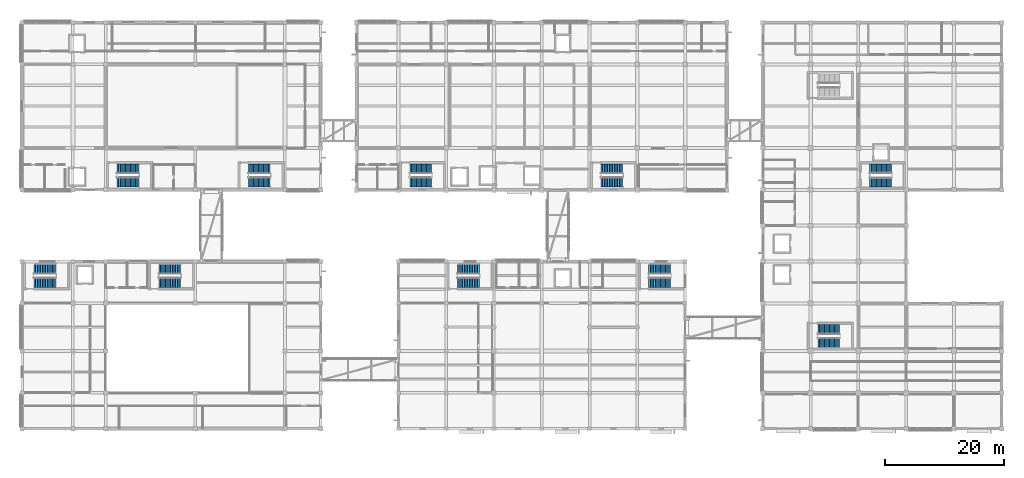
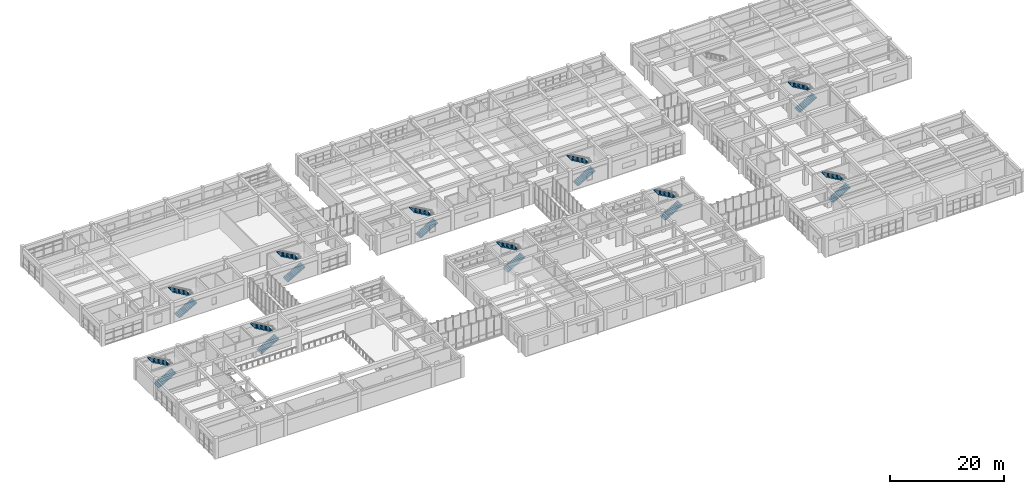
# One storey, part 57 of 70: 20 stair flights, 10 elements without a shape of their own.
"""IFC4 building model written with IfcOpenShell, lengths in metres."""

import ifcopenshell
import ifcopenshell.guid

model = None  # the IFC model being written
_history = None  # IfcOwnerHistory: only IFC2X3 demands one
_inside = {}  # id of a spatial element -> (the spatial element, [elements in it])
_under = {}  # id of a project, library or spatial element -> (it, [spatial elements below it])
_declared = {}  # id of a project -> (the project, [libraries it declares])
_typed = {}  # id of a type object -> (the type object, [elements of that type])
_made_of = {}  # id of a material, layer set ... -> (it, [elements and type objects made of it])


def new_model(schema):
    """Start an empty IFC model of exactly this schema.

    Asked for "IFC4X3", IfcOpenShell would pick the latest addendum, in which some entities
    have other attributes; the version numbers below select the first issue.
    IFC2X3 requires an IfcOwnerHistory on every rooted entity: one is made here for all.
    """
    global model, _history
    if schema == "IFC4X3":
        model = ifcopenshell.file(schema_version=(4, 3, 0, 0))
    else:
        model = ifcopenshell.file(schema=schema)
    _inside.clear()
    _under.clear()
    _declared.clear()
    _typed.clear()
    _made_of.clear()
    _history = None
    if model.schema == "IFC2X3":
        org = make("IfcOrganization", Name="unknown")
        user = make(
            "IfcPersonAndOrganization",
            ThePerson=make("IfcPerson", FamilyName="unknown"),
            TheOrganization=org,
        )
        app = make(
            "IfcApplication",
            ApplicationDeveloper=org,
            Version="unknown",
            ApplicationFullName="unknown",
            ApplicationIdentifier="unknown",
        )
        _history = make(
            "IfcOwnerHistory",
            OwningUser=user,
            OwningApplication=app,
            ChangeAction="ADDED",
            CreationDate=0,
        )
    return model


def make(cls, **values):
    """One entity of the class cls with the attributes given. An attribute that is None is left unset."""
    return model.create_entity(
        cls, **{name: value for name, value in values.items() if value is not None}
    )


def rooted(cls, **values):
    """An entity with a GlobalId (a new one), such as an element, a storey or a relation."""
    return make(cls, GlobalId=ifcopenshell.guid.new(), OwnerHistory=_history, **values)


def si_unit(unit_type, name, prefix=None):
    """IfcSIUnit, for example si_unit("LENGTHUNIT", "METRE", prefix="MILLI")."""
    return make("IfcSIUnit", UnitType=unit_type, Prefix=prefix, Name=name)


def assignment(units):
    """IfcUnitAssignment: the units of a project."""
    return None if units is None else make("IfcUnitAssignment", Units=units)


def point(xyz):
    """IfcCartesianPoint."""
    return None if xyz is None else make("IfcCartesianPoint", Coordinates=xyz)


def direction(xyz):
    """IfcDirection."""
    return None if xyz is None else make("IfcDirection", DirectionRatios=xyz)


def frame(location, z_axis=None, x_axis=None):
    """IfcAxis2Placement3D, a coordinate frame: its origin and axes. An axis left out is left unset."""
    return make(
        "IfcAxis2Placement3D",
        Location=point(location),
        Axis=direction(z_axis),
        RefDirection=direction(x_axis),
    )


def origin():
    """The frame at (0, 0, 0) with its axes left unset."""
    return frame((0.0, 0.0, 0.0))


def place(relative_to, where):
    """IfcLocalPlacement: puts the frame where relative to a parent placement (None: the world)."""
    return make(
        "IfcLocalPlacement", PlacementRelTo=relative_to, RelativePlacement=where
    )


def context(
    kind, dimensions, precision=None, world=None, true_north=None, identifier=None
):
    """IfcGeometricRepresentationContext, for example the 3D "Model" context."""
    return make(
        "IfcGeometricRepresentationContext",
        ContextIdentifier=identifier,
        ContextType=kind,
        CoordinateSpaceDimension=dimensions,
        Precision=precision,
        WorldCoordinateSystem=world,
        TrueNorth=true_north,
    )


def subcontext(parent, identifier, kind, view, scale=None):
    """IfcGeometricRepresentationSubContext, for example "Body" below "Model"."""
    return make(
        "IfcGeometricRepresentationSubContext",
        ContextIdentifier=identifier,
        ContextType=kind,
        ParentContext=parent,
        TargetScale=scale,
        TargetView=view,
    )


def project(units=None, contexts=None):
    """IfcProject with its units and contexts."""
    return rooted(
        "IfcProject",
        Name="project",
        RepresentationContexts=contexts,
        UnitsInContext=assignment(units),
    )


def spatial(cls, under=None, at=None, **own):
    """A site, building, storey or space (cls), placed at a placement, below another one or the project."""
    s = rooted(cls, ObjectPlacement=at, **own)
    if under is not None:
        _under.setdefault(under.id(), (under, []))[1].append(s)
    return s


def polyline(points):
    """IfcPolyline through the points."""
    return make("IfcPolyline", Points=[point(p) for p in points])


def outline(outer, holes=None, kind="AREA"):
    """IfcArbitraryClosedProfileDef: a profile drawn as a closed curve; with holes, ...WithVoids."""
    if holes is None:
        return make("IfcArbitraryClosedProfileDef", ProfileType=kind, OuterCurve=outer)
    return make(
        "IfcArbitraryProfileDefWithVoids",
        ProfileType=kind,
        OuterCurve=outer,
        InnerCurves=holes,
    )


def extrude(swept, where, along, depth):
    """IfcExtrudedAreaSolid: the profile swept, set in the frame where, extruded along a direction by depth."""
    return make(
        "IfcExtrudedAreaSolid",
        SweptArea=swept,
        Position=where,
        ExtrudedDirection=direction(along),
        Depth=depth,
    )


def shape(context_of_items, identifier, shape_type, items):
    """IfcShapeRepresentation: the items that make up one representation, for example the "Body"."""
    return make(
        "IfcShapeRepresentation",
        ContextOfItems=context_of_items,
        RepresentationIdentifier=identifier,
        RepresentationType=shape_type,
        Items=items,
    )


def material(Name=None, Category=None):
    """IfcMaterial."""
    return make("IfcMaterial", Name=Name, Category=Category)


def made_of(thing, what):
    """Note that an element or type object is made of a material, layer set ...; save() writes the relation."""
    if what is not None:
        _made_of.setdefault(what.id(), (what, []))[1].append(thing)
    return thing


def type_object(cls, material=None, **own):
    """A type object (cls), such as IfcWallType, which elements share."""
    return made_of(rooted(cls, **own), material)


def element(
    cls,
    number,
    at=None,
    inside=None,
    cuts=None,
    type_object=None,
    material=None,
    context=None,
    identifier="Body",
    shape_type=None,
    held_by="IfcProductDefinitionShape",
    body=None,
    shapes=None,
    **own,
):
    """One element of the class cls, such as IfcWall. Its Tag is "e" and its number.

    at: its placement. inside: the storey or other place that contains it. cuts: it is an
    opening in that element (IfcRelVoidsElement). A single representation is given by context,
    identifier, shape_type and body (its items); several are given by shapes. held_by: the class
    of the entity that holds the representations. save() writes the other relations.
    """
    e = rooted(cls, Tag="e%d" % number, ObjectPlacement=at, **own)
    if body is not None:
        shapes = [shape(context, identifier, shape_type, body)]
    if shapes is not None:
        e.Representation = make(held_by, Representations=shapes)
    if inside is not None:
        _inside.setdefault(inside.id(), (inside, []))[1].append(e)
    if cuts is not None:
        rooted(
            "IfcRelVoidsElement", RelatingBuildingElement=cuts, RelatedOpeningElement=e
        )
    if type_object is not None:
        _typed.setdefault(type_object.id(), (type_object, []))[1].append(e)
    return made_of(e, material)


def aggregate(whole, parts):
    """IfcRelAggregates: a whole, such as a stair, and the parts it consists of."""
    return rooted("IfcRelAggregates", RelatingObject=whole, RelatedObjects=parts)


def save(model, path):
    """Write the relations noted so far, then the file.

    IfcRelAggregates (storeys below a building ...), IfcRelContainedInSpatialStructure (elements
    in a storey), IfcRelDefinesByType, IfcRelAssociatesMaterial and IfcRelDeclares: one each for
    every whole, place, type object, material and project.
    """
    for whole, parts in _under.values():
        aggregate(whole, parts)
    for where, things in _inside.values():
        rooted(
            "IfcRelContainedInSpatialStructure",
            RelatedElements=things,
            RelatingStructure=where,
        )
    for kind, things in _typed.values():
        rooted("IfcRelDefinesByType", RelatedObjects=things, RelatingType=kind)
    for what, things in _made_of.values():
        rooted("IfcRelAssociatesMaterial", RelatedObjects=things, RelatingMaterial=what)
    for by, libraries in _declared.values():
        rooted("IfcRelDeclares", RelatingContext=by, RelatedDefinitions=libraries)
    model.write(path)


model = new_model("IFC4")

# Units and contexts
model_context = context("Model", 3, precision=1e-05, world=origin(), true_north=direction((0.0, 1.0)))
body_context = subcontext(model_context, "Body", "Model", "MODEL_VIEW")
ifc_project = project(units=[si_unit("LENGTHUNIT", "METRE"), si_unit("AREAUNIT", "SQUARE_METRE"), si_unit("VOLUMEUNIT", "CUBIC_METRE"), si_unit("PLANEANGLEUNIT", "RADIAN"), si_unit("MASSUNIT", "GRAM", prefix="KILO")], contexts=[model_context])

# Site, building, storey
site_placement = place(None, origin())
site = spatial("IfcSite", under=ifc_project, at=site_placement, CompositionType="ELEMENT")
building_placement = place(site_placement, origin())
building = spatial("IfcBuilding", under=site, at=building_placement, Name="Naurynzar Civic Courthouse", CompositionType="ELEMENT")
storey_placement = place(building_placement, frame((0.0, 0.0, 5.39990234375)))
storey = spatial("IfcBuildingStorey", under=building, at=storey_placement, Name="L02", CompositionType="ELEMENT", Elevation=5.39990234375)

# Stair, stair flights
ifc_material_1 = material(Name="Concrete C35/45", Category="concrete")
stair_type_1 = type_object("IfcStairType", Name="STAIR-CUS-1550", PredefinedType="TWO_STRAIGHT_RUN_STAIR", material=ifc_material_1)
stair_1_placement = place(storey_placement, origin())
stair_1 = element("IfcStair", 1, at=stair_1_placement, inside=storey, type_object=stair_type_1, Name="Enclosed escape stair ST-CUS L02", PredefinedType="TWO_STRAIGHT_RUN_STAIR")
ifc_material_2 = material(Name="Concrete C35/45", Category="concrete")
stair_flight_type_1 = type_object("IfcStairFlightType", Name="FLIGHT-RC-1550", PredefinedType="STRAIGHT", material=ifc_material_2)
stair_flight_1_placement = place(storey_placement, frame((147.89990234375, 45.2548828125, 0.0), z_axis=(0.0, 0.0, 1.0), x_axis=(1.0, 0.0, 0.0)))
stair_flight_1 = element("IfcStairFlight", 2, at=stair_flight_1_placement, type_object=stair_flight_type_1, Name="ST-CUS-L02 flight 1", NumberOfRisers=14, NumberOfTreads=13, PredefinedType="STRAIGHT", RiserHeight=0.160714286, TreadLength=0.28, context=body_context, shape_type="SweptSolid", body=[
    extrude(outline(polyline([(0.0, 0.0), (0.0, 0.16064453125), (0.280029296875, 0.16064453125), (0.280029296875, 0.321533203125), (0.56005859375, 0.321533203125), (0.56005859375, 0.482177734375), (0.840087890625, 0.482177734375), (0.840087890625, 0.642822265625), (1.1201171875, 0.642822265625), (1.1201171875, 0.803466796875), (1.39990234375, 0.803466796875), (1.39990234375, 0.96435546875), (1.679931640625, 0.96435546875), (1.679931640625, 1.125), (1.9599609375, 1.125), (1.9599609375, 1.28564453125), (2.239990234375, 1.28564453125), (2.239990234375, 1.446533203125), (2.52001953125, 1.446533203125), (2.52001953125, 1.607177734375), (2.800048828125, 1.607177734375), (2.800048828125, 1.767822265625), (3.080078125, 1.767822265625), (3.080078125, 1.928466796875), (3.360107421875, 1.928466796875), (3.360107421875, 2.08935546875), (3.639892578125, 2.08935546875), (3.639892578125, 2.25), (3.639892578125, 1.8818359375), (0.361328125, 0.0), (0.0, 0.0)])), frame((0.0, 0.77490234375, 0.0), z_axis=(0.0, -1.0, 0.0), x_axis=(1.0, 0.0, 0.0)), (0.0, 0.0, 1.0), 1.550048828125),
])
stair_flight_2_placement = place(storey_placement, frame((151.5400390625, 47.544921875, 2.25), z_axis=(0.0, 0.0, 1.0), x_axis=(-1.0, 0.0, 0.0)))
stair_flight_2 = element("IfcStairFlight", 3, at=stair_flight_2_placement, type_object=stair_flight_type_1, Name="ST-CUS-L02 flight 2", NumberOfRisers=14, NumberOfTreads=13, PredefinedType="STRAIGHT", RiserHeight=0.160714286, TreadLength=0.28, context=body_context, shape_type="SweptSolid", body=[
    extrude(outline(polyline([(0.0, 0.0), (0.0, 0.16064453125), (0.280029296875, 0.16064453125), (0.280029296875, 0.321533203125), (0.56005859375, 0.321533203125), (0.56005859375, 0.482177734375), (0.840087890625, 0.482177734375), (0.840087890625, 0.642822265625), (1.1201171875, 0.642822265625), (1.1201171875, 0.803466796875), (1.39990234375, 0.803466796875), (1.39990234375, 0.96435546875), (1.679931640625, 0.96435546875), (1.679931640625, 1.125), (1.9599609375, 1.125), (1.9599609375, 1.28564453125), (2.239990234375, 1.28564453125), (2.239990234375, 1.446533203125), (2.52001953125, 1.446533203125), (2.52001953125, 1.607177734375), (2.800048828125, 1.607177734375), (2.800048828125, 1.767822265625), (3.080078125, 1.767822265625), (3.080078125, 1.928466796875), (3.360107421875, 1.928466796875), (3.360107421875, 2.08935546875), (3.639892578125, 2.08935546875), (3.639892578125, 2.25), (3.639892578125, 1.8818359375), (0.361328125, 0.0), (0.0, 0.0)])), frame((0.0, 0.77490234375, 0.0), z_axis=(0.0, -1.0, 0.0), x_axis=(1.0, 0.0, 0.0)), (0.0, 0.0, 1.0), 1.550048828125),
])
aggregate(stair_1, [stair_flight_1, stair_flight_2])

ifc_material_3 = material(Name="Concrete C35/45", Category="concrete")
stair_type_2 = type_object("IfcStairType", Name="STAIR-CORE-1600", PredefinedType="TWO_STRAIGHT_RUN_STAIR", material=ifc_material_3)
stair_2_placement = place(storey_placement, origin())
stair_2 = element("IfcStair", 4, at=stair_2_placement, inside=storey, type_object=stair_type_2, Name="Enclosed escape stair ST-V1A L02", PredefinedType="TWO_STRAIGHT_RUN_STAIR")
ifc_material_4 = material(Name="Concrete C35/45", Category="concrete")
stair_flight_type_2 = type_object("IfcStairFlightType", Name="FLIGHT-RC-1600", PredefinedType="STRAIGHT", material=ifc_material_4)
stair_flight_3_placement = place(storey_placement, frame((21.89990234375, 45.280029296875, 0.0), z_axis=(0.0, 0.0, 1.0), x_axis=(1.0, 0.0, 0.0)))
stair_flight_3 = element("IfcStairFlight", 5, at=stair_flight_3_placement, type_object=stair_flight_type_2, Name="ST-V1A-L02 flight 1", NumberOfRisers=14, NumberOfTreads=13, PredefinedType="STRAIGHT", RiserHeight=0.160714286, TreadLength=0.28, context=body_context, shape_type="SweptSolid", body=[
    extrude(outline(polyline([(0.0, 0.0), (0.0, 0.16064453125), (0.280029296875, 0.16064453125), (0.280029296875, 0.321533203125), (0.56005859375, 0.321533203125), (0.56005859375, 0.482177734375), (0.840087890625, 0.482177734375), (0.840087890625, 0.642822265625), (1.1201171875, 0.642822265625), (1.1201171875, 0.803466796875), (1.39990234375, 0.803466796875), (1.39990234375, 0.96435546875), (1.679931640625, 0.96435546875), (1.679931640625, 1.125), (1.9599609375, 1.125), (1.9599609375, 1.28564453125), (2.239990234375, 1.28564453125), (2.239990234375, 1.446533203125), (2.52001953125, 1.446533203125), (2.52001953125, 1.607177734375), (2.800048828125, 1.607177734375), (2.800048828125, 1.767822265625), (3.080078125, 1.767822265625), (3.080078125, 1.928466796875), (3.360107421875, 1.928466796875), (3.360107421875, 2.08935546875), (3.639892578125, 2.08935546875), (3.639892578125, 2.25), (3.639892578125, 1.8818359375), (0.361328125, 0.0), (0.0, 0.0)])), frame((0.0, 0.800048828125, 0.0), z_axis=(0.0, -1.0, 0.0), x_axis=(1.0, 0.0, 0.0)), (0.0, 0.0, 1.0), 1.60009765625),
])
stair_flight_4_placement = place(storey_placement, frame((25.5400390625, 47.52001953125, 2.25), z_axis=(0.0, 0.0, 1.0), x_axis=(-1.0, 0.0, 0.0)))
stair_flight_4 = element("IfcStairFlight", 6, at=stair_flight_4_placement, type_object=stair_flight_type_2, Name="ST-V1A-L02 flight 2", NumberOfRisers=14, NumberOfTreads=13, PredefinedType="STRAIGHT", RiserHeight=0.160714286, TreadLength=0.28, context=body_context, shape_type="SweptSolid", body=[
    extrude(outline(polyline([(0.0, 0.0), (0.0, 0.16064453125), (0.280029296875, 0.16064453125), (0.280029296875, 0.321533203125), (0.56005859375, 0.321533203125), (0.56005859375, 0.482177734375), (0.840087890625, 0.482177734375), (0.840087890625, 0.642822265625), (1.1201171875, 0.642822265625), (1.1201171875, 0.803466796875), (1.39990234375, 0.803466796875), (1.39990234375, 0.96435546875), (1.679931640625, 0.96435546875), (1.679931640625, 1.125), (1.9599609375, 1.125), (1.9599609375, 1.28564453125), (2.239990234375, 1.28564453125), (2.239990234375, 1.446533203125), (2.52001953125, 1.446533203125), (2.52001953125, 1.607177734375), (2.800048828125, 1.607177734375), (2.800048828125, 1.767822265625), (3.080078125, 1.767822265625), (3.080078125, 1.928466796875), (3.360107421875, 1.928466796875), (3.360107421875, 2.08935546875), (3.639892578125, 2.08935546875), (3.639892578125, 2.25), (3.639892578125, 1.8818359375), (0.361328125, 0.0), (0.0, 0.0)])), frame((0.0, 0.800048828125, 0.0), z_axis=(0.0, -1.0, 0.0), x_axis=(1.0, 0.0, 0.0)), (0.0, 0.0, 1.0), 1.60009765625),
])
aggregate(stair_2, [stair_flight_3, stair_flight_4])

stair_3_placement = place(storey_placement, origin())
stair_3 = element("IfcStair", 7, at=stair_3_placement, inside=storey, type_object=stair_type_2, Name="Enclosed escape stair ST-V1B L02", PredefinedType="TWO_STRAIGHT_RUN_STAIR")
stair_flight_5_placement = place(storey_placement, frame((43.89990234375, 45.280029296875, 0.0), z_axis=(0.0, 0.0, 1.0), x_axis=(1.0, 0.0, 0.0)))
stair_flight_5 = element("IfcStairFlight", 8, at=stair_flight_5_placement, type_object=stair_flight_type_2, Name="ST-V1B-L02 flight 1", NumberOfRisers=14, NumberOfTreads=13, PredefinedType="STRAIGHT", RiserHeight=0.160714286, TreadLength=0.28, context=body_context, shape_type="SweptSolid", body=[
    extrude(outline(polyline([(0.0, 0.0), (0.0, 0.16064453125), (0.280029296875, 0.16064453125), (0.280029296875, 0.321533203125), (0.56005859375, 0.321533203125), (0.56005859375, 0.482177734375), (0.840087890625, 0.482177734375), (0.840087890625, 0.642822265625), (1.1201171875, 0.642822265625), (1.1201171875, 0.803466796875), (1.39990234375, 0.803466796875), (1.39990234375, 0.96435546875), (1.679931640625, 0.96435546875), (1.679931640625, 1.125), (1.9599609375, 1.125), (1.9599609375, 1.28564453125), (2.239990234375, 1.28564453125), (2.239990234375, 1.446533203125), (2.52001953125, 1.446533203125), (2.52001953125, 1.607177734375), (2.800048828125, 1.607177734375), (2.800048828125, 1.767822265625), (3.080078125, 1.767822265625), (3.080078125, 1.928466796875), (3.360107421875, 1.928466796875), (3.360107421875, 2.08935546875), (3.639892578125, 2.08935546875), (3.639892578125, 2.25), (3.639892578125, 1.8818359375), (0.361328125, 0.0), (0.0, 0.0)])), frame((0.0, 0.800048828125, 0.0), z_axis=(0.0, -1.0, 0.0), x_axis=(1.0, 0.0, 0.0)), (0.0, 0.0, 1.0), 1.60009765625),
])
stair_flight_6_placement = place(storey_placement, frame((47.5400390625, 47.52001953125, 2.25), z_axis=(0.0, 0.0, 1.0), x_axis=(-1.0, 0.0, 0.0)))
stair_flight_6 = element("IfcStairFlight", 9, at=stair_flight_6_placement, type_object=stair_flight_type_2, Name="ST-V1B-L02 flight 2", NumberOfRisers=14, NumberOfTreads=13, PredefinedType="STRAIGHT", RiserHeight=0.160714286, TreadLength=0.28, context=body_context, shape_type="SweptSolid", body=[
    extrude(outline(polyline([(0.0, 0.0), (0.0, 0.16064453125), (0.280029296875, 0.16064453125), (0.280029296875, 0.321533203125), (0.56005859375, 0.321533203125), (0.56005859375, 0.482177734375), (0.840087890625, 0.482177734375), (0.840087890625, 0.642822265625), (1.1201171875, 0.642822265625), (1.1201171875, 0.803466796875), (1.39990234375, 0.803466796875), (1.39990234375, 0.96435546875), (1.679931640625, 0.96435546875), (1.679931640625, 1.125), (1.9599609375, 1.125), (1.9599609375, 1.28564453125), (2.239990234375, 1.28564453125), (2.239990234375, 1.446533203125), (2.52001953125, 1.446533203125), (2.52001953125, 1.607177734375), (2.800048828125, 1.607177734375), (2.800048828125, 1.767822265625), (3.080078125, 1.767822265625), (3.080078125, 1.928466796875), (3.360107421875, 1.928466796875), (3.360107421875, 2.08935546875), (3.639892578125, 2.08935546875), (3.639892578125, 2.25), (3.639892578125, 1.8818359375), (0.361328125, 0.0), (0.0, 0.0)])), frame((0.0, 0.800048828125, 0.0), z_axis=(0.0, -1.0, 0.0), x_axis=(1.0, 0.0, 0.0)), (0.0, 0.0, 1.0), 1.60009765625),
])
aggregate(stair_3, [stair_flight_5, stair_flight_6])

stair_4_placement = place(storey_placement, origin())
stair_4 = element("IfcStair", 10, at=stair_4_placement, inside=storey, type_object=stair_type_2, Name="Enclosed escape stair ST-V4A L02", PredefinedType="TWO_STRAIGHT_RUN_STAIR")
stair_flight_7_placement = place(storey_placement, frame((8.0, 28.47998046875, 0.0), z_axis=(0.0, 0.0, 1.0), x_axis=(1.0, 0.0, 0.0)))
stair_flight_7 = element("IfcStairFlight", 11, at=stair_flight_7_placement, type_object=stair_flight_type_2, Name="ST-V4A-L02 flight 1", NumberOfRisers=14, NumberOfTreads=13, PredefinedType="STRAIGHT", RiserHeight=0.160714286, TreadLength=0.28, context=body_context, shape_type="SweptSolid", body=[
    extrude(outline(polyline([(0.0, 0.0), (0.0, 0.16064453125), (0.280029296875, 0.16064453125), (0.280029296875, 0.321533203125), (0.56005859375, 0.321533203125), (0.56005859375, 0.482177734375), (0.840087890625, 0.482177734375), (0.840087890625, 0.642822265625), (1.1201171875, 0.642822265625), (1.1201171875, 0.803466796875), (1.39990234375, 0.803466796875), (1.39990234375, 0.96435546875), (1.679931640625, 0.96435546875), (1.679931640625, 1.125), (1.9599609375, 1.125), (1.9599609375, 1.28564453125), (2.239990234375, 1.28564453125), (2.239990234375, 1.446533203125), (2.52001953125, 1.446533203125), (2.52001953125, 1.607177734375), (2.800048828125, 1.607177734375), (2.800048828125, 1.767822265625), (3.080078125, 1.767822265625), (3.080078125, 1.928466796875), (3.360107421875, 1.928466796875), (3.360107421875, 2.08935546875), (3.639892578125, 2.08935546875), (3.639892578125, 2.25), (3.639892578125, 1.8818359375), (0.361328125, 0.0), (0.0, 0.0)])), frame((0.0, 0.800048828125, 0.0), z_axis=(0.0, -1.0, 0.0), x_axis=(1.0, 0.0, 0.0)), (0.0, 0.0, 1.0), 1.60009765625),
])
stair_flight_8_placement = place(storey_placement, frame((11.639892578125, 30.719970703125, 2.25), z_axis=(0.0, 0.0, 1.0), x_axis=(-1.0, 0.0, 0.0)))
stair_flight_8 = element("IfcStairFlight", 12, at=stair_flight_8_placement, type_object=stair_flight_type_2, Name="ST-V4A-L02 flight 2", NumberOfRisers=14, NumberOfTreads=13, PredefinedType="STRAIGHT", RiserHeight=0.160714286, TreadLength=0.28, context=body_context, shape_type="SweptSolid", body=[
    extrude(outline(polyline([(0.0, 0.0), (0.0, 0.16064453125), (0.280029296875, 0.16064453125), (0.280029296875, 0.321533203125), (0.56005859375, 0.321533203125), (0.56005859375, 0.482177734375), (0.840087890625, 0.482177734375), (0.840087890625, 0.642822265625), (1.1201171875, 0.642822265625), (1.1201171875, 0.803466796875), (1.39990234375, 0.803466796875), (1.39990234375, 0.96435546875), (1.679931640625, 0.96435546875), (1.679931640625, 1.125), (1.9599609375, 1.125), (1.9599609375, 1.28564453125), (2.239990234375, 1.28564453125), (2.239990234375, 1.446533203125), (2.52001953125, 1.446533203125), (2.52001953125, 1.607177734375), (2.800048828125, 1.607177734375), (2.800048828125, 1.767822265625), (3.080078125, 1.767822265625), (3.080078125, 1.928466796875), (3.360107421875, 1.928466796875), (3.360107421875, 2.08935546875), (3.639892578125, 2.08935546875), (3.639892578125, 2.25), (3.639892578125, 1.8818359375), (0.361328125, 0.0), (0.0, 0.0)])), frame((0.0, 0.800048828125, 0.0), z_axis=(0.0, -1.0, 0.0), x_axis=(1.0, 0.0, 0.0)), (0.0, 0.0, 1.0), 1.60009765625),
])
aggregate(stair_4, [stair_flight_7, stair_flight_8])

stair_5_placement = place(storey_placement, origin())
stair_5 = element("IfcStair", 13, at=stair_5_placement, inside=storey, type_object=stair_type_2, Name="Enclosed escape stair ST-V4B L02", PredefinedType="TWO_STRAIGHT_RUN_STAIR")
stair_flight_9_placement = place(storey_placement, frame((28.89990234375, 28.47998046875, 0.0), z_axis=(0.0, 0.0, 1.0), x_axis=(1.0, 0.0, 0.0)))
stair_flight_9 = element("IfcStairFlight", 14, at=stair_flight_9_placement, type_object=stair_flight_type_2, Name="ST-V4B-L02 flight 1", NumberOfRisers=14, NumberOfTreads=13, PredefinedType="STRAIGHT", RiserHeight=0.160714286, TreadLength=0.28, context=body_context, shape_type="SweptSolid", body=[
    extrude(outline(polyline([(0.0, 0.0), (0.0, 0.16064453125), (0.280029296875, 0.16064453125), (0.280029296875, 0.321533203125), (0.56005859375, 0.321533203125), (0.56005859375, 0.482177734375), (0.840087890625, 0.482177734375), (0.840087890625, 0.642822265625), (1.1201171875, 0.642822265625), (1.1201171875, 0.803466796875), (1.39990234375, 0.803466796875), (1.39990234375, 0.96435546875), (1.679931640625, 0.96435546875), (1.679931640625, 1.125), (1.9599609375, 1.125), (1.9599609375, 1.28564453125), (2.239990234375, 1.28564453125), (2.239990234375, 1.446533203125), (2.52001953125, 1.446533203125), (2.52001953125, 1.607177734375), (2.800048828125, 1.607177734375), (2.800048828125, 1.767822265625), (3.080078125, 1.767822265625), (3.080078125, 1.928466796875), (3.360107421875, 1.928466796875), (3.360107421875, 2.08935546875), (3.639892578125, 2.08935546875), (3.639892578125, 2.25), (3.639892578125, 1.8818359375), (0.361328125, 0.0), (0.0, 0.0)])), frame((0.0, 0.800048828125, 0.0), z_axis=(0.0, -1.0, 0.0), x_axis=(1.0, 0.0, 0.0)), (0.0, 0.0, 1.0), 1.60009765625),
])
stair_flight_10_placement = place(storey_placement, frame((32.5400390625, 30.719970703125, 2.25), z_axis=(0.0, 0.0, 1.0), x_axis=(-1.0, 0.0, 0.0)))
stair_flight_10 = element("IfcStairFlight", 15, at=stair_flight_10_placement, type_object=stair_flight_type_2, Name="ST-V4B-L02 flight 2", NumberOfRisers=14, NumberOfTreads=13, PredefinedType="STRAIGHT", RiserHeight=0.160714286, TreadLength=0.28, context=body_context, shape_type="SweptSolid", body=[
    extrude(outline(polyline([(0.0, 0.0), (0.0, 0.16064453125), (0.280029296875, 0.16064453125), (0.280029296875, 0.321533203125), (0.56005859375, 0.321533203125), (0.56005859375, 0.482177734375), (0.840087890625, 0.482177734375), (0.840087890625, 0.642822265625), (1.1201171875, 0.642822265625), (1.1201171875, 0.803466796875), (1.39990234375, 0.803466796875), (1.39990234375, 0.96435546875), (1.679931640625, 0.96435546875), (1.679931640625, 1.125), (1.9599609375, 1.125), (1.9599609375, 1.28564453125), (2.239990234375, 1.28564453125), (2.239990234375, 1.446533203125), (2.52001953125, 1.446533203125), (2.52001953125, 1.607177734375), (2.800048828125, 1.607177734375), (2.800048828125, 1.767822265625), (3.080078125, 1.767822265625), (3.080078125, 1.928466796875), (3.360107421875, 1.928466796875), (3.360107421875, 2.08935546875), (3.639892578125, 2.08935546875), (3.639892578125, 2.25), (3.639892578125, 1.8818359375), (0.361328125, 0.0), (0.0, 0.0)])), frame((0.0, 0.800048828125, 0.0), z_axis=(0.0, -1.0, 0.0), x_axis=(1.0, 0.0, 0.0)), (0.0, 0.0, 1.0), 1.60009765625),
])
aggregate(stair_5, [stair_flight_9, stair_flight_10])

stair_6_placement = place(storey_placement, origin())
stair_6 = element("IfcStair", 16, at=stair_6_placement, inside=storey, type_object=stair_type_2, Name="Enclosed escape stair ST-V2A L02", PredefinedType="TWO_STRAIGHT_RUN_STAIR")
stair_flight_11_placement = place(storey_placement, frame((70.89990234375, 45.280029296875, 0.0), z_axis=(0.0, 0.0, 1.0), x_axis=(1.0, 0.0, 0.0)))
stair_flight_11 = element("IfcStairFlight", 17, at=stair_flight_11_placement, type_object=stair_flight_type_2, Name="ST-V2A-L02 flight 1", NumberOfRisers=14, NumberOfTreads=13, PredefinedType="STRAIGHT", RiserHeight=0.160714286, TreadLength=0.28, context=body_context, shape_type="SweptSolid", body=[
    extrude(outline(polyline([(0.0, 0.0), (0.0, 0.16064453125), (0.280029296875, 0.16064453125), (0.280029296875, 0.321533203125), (0.56005859375, 0.321533203125), (0.56005859375, 0.482177734375), (0.840087890625, 0.482177734375), (0.840087890625, 0.642822265625), (1.1201171875, 0.642822265625), (1.1201171875, 0.803466796875), (1.39990234375, 0.803466796875), (1.39990234375, 0.96435546875), (1.679931640625, 0.96435546875), (1.679931640625, 1.125), (1.9599609375, 1.125), (1.9599609375, 1.28564453125), (2.239990234375, 1.28564453125), (2.239990234375, 1.446533203125), (2.52001953125, 1.446533203125), (2.52001953125, 1.607177734375), (2.800048828125, 1.607177734375), (2.800048828125, 1.767822265625), (3.080078125, 1.767822265625), (3.080078125, 1.928466796875), (3.360107421875, 1.928466796875), (3.360107421875, 2.08935546875), (3.639892578125, 2.08935546875), (3.639892578125, 2.25), (3.639892578125, 1.8818359375), (0.361328125, 0.0), (0.0, 0.0)])), frame((0.0, 0.800048828125, 0.0), z_axis=(0.0, -1.0, 0.0), x_axis=(1.0, 0.0, 0.0)), (0.0, 0.0, 1.0), 1.60009765625),
])
stair_flight_12_placement = place(storey_placement, frame((74.5400390625, 47.52001953125, 2.25), z_axis=(0.0, 0.0, 1.0), x_axis=(-1.0, 0.0, 0.0)))
stair_flight_12 = element("IfcStairFlight", 18, at=stair_flight_12_placement, type_object=stair_flight_type_2, Name="ST-V2A-L02 flight 2", NumberOfRisers=14, NumberOfTreads=13, PredefinedType="STRAIGHT", RiserHeight=0.160714286, TreadLength=0.28, context=body_context, shape_type="SweptSolid", body=[
    extrude(outline(polyline([(0.0, 0.0), (0.0, 0.16064453125), (0.280029296875, 0.16064453125), (0.280029296875, 0.321533203125), (0.56005859375, 0.321533203125), (0.56005859375, 0.482177734375), (0.840087890625, 0.482177734375), (0.840087890625, 0.642822265625), (1.1201171875, 0.642822265625), (1.1201171875, 0.803466796875), (1.39990234375, 0.803466796875), (1.39990234375, 0.96435546875), (1.679931640625, 0.96435546875), (1.679931640625, 1.125), (1.9599609375, 1.125), (1.9599609375, 1.28564453125), (2.239990234375, 1.28564453125), (2.239990234375, 1.446533203125), (2.52001953125, 1.446533203125), (2.52001953125, 1.607177734375), (2.800048828125, 1.607177734375), (2.800048828125, 1.767822265625), (3.080078125, 1.767822265625), (3.080078125, 1.928466796875), (3.360107421875, 1.928466796875), (3.360107421875, 2.08935546875), (3.639892578125, 2.08935546875), (3.639892578125, 2.25), (3.639892578125, 1.8818359375), (0.361328125, 0.0), (0.0, 0.0)])), frame((0.0, 0.800048828125, 0.0), z_axis=(0.0, -1.0, 0.0), x_axis=(1.0, 0.0, 0.0)), (0.0, 0.0, 1.0), 1.60009765625),
])
aggregate(stair_6, [stair_flight_11, stair_flight_12])

stair_7_placement = place(storey_placement, origin())
stair_7 = element("IfcStair", 19, at=stair_7_placement, inside=storey, type_object=stair_type_2, Name="Enclosed escape stair ST-V2B L02", PredefinedType="TWO_STRAIGHT_RUN_STAIR")
stair_flight_13_placement = place(storey_placement, frame((102.89990234375, 45.280029296875, 0.0), z_axis=(0.0, 0.0, 1.0), x_axis=(1.0, 0.0, 0.0)))
stair_flight_13 = element("IfcStairFlight", 20, at=stair_flight_13_placement, type_object=stair_flight_type_2, Name="ST-V2B-L02 flight 1", NumberOfRisers=14, NumberOfTreads=13, PredefinedType="STRAIGHT", RiserHeight=0.160714286, TreadLength=0.28, context=body_context, shape_type="SweptSolid", body=[
    extrude(outline(polyline([(0.0, 0.0), (0.0, 0.16064453125), (0.280029296875, 0.16064453125), (0.280029296875, 0.321533203125), (0.56005859375, 0.321533203125), (0.56005859375, 0.482177734375), (0.840087890625, 0.482177734375), (0.840087890625, 0.642822265625), (1.1201171875, 0.642822265625), (1.1201171875, 0.803466796875), (1.39990234375, 0.803466796875), (1.39990234375, 0.96435546875), (1.679931640625, 0.96435546875), (1.679931640625, 1.125), (1.9599609375, 1.125), (1.9599609375, 1.28564453125), (2.239990234375, 1.28564453125), (2.239990234375, 1.446533203125), (2.52001953125, 1.446533203125), (2.52001953125, 1.607177734375), (2.800048828125, 1.607177734375), (2.800048828125, 1.767822265625), (3.080078125, 1.767822265625), (3.080078125, 1.928466796875), (3.360107421875, 1.928466796875), (3.360107421875, 2.08935546875), (3.639892578125, 2.08935546875), (3.639892578125, 2.25), (3.639892578125, 1.8818359375), (0.361328125, 0.0), (0.0, 0.0)])), frame((0.0, 0.800048828125, 0.0), z_axis=(0.0, -1.0, 0.0), x_axis=(1.0, 0.0, 0.0)), (0.0, 0.0, 1.0), 1.60009765625),
])
stair_flight_14_placement = place(storey_placement, frame((106.5400390625, 47.52001953125, 2.25), z_axis=(0.0, 0.0, 1.0), x_axis=(-1.0, 0.0, 0.0)))
stair_flight_14 = element("IfcStairFlight", 21, at=stair_flight_14_placement, type_object=stair_flight_type_2, Name="ST-V2B-L02 flight 2", NumberOfRisers=14, NumberOfTreads=13, PredefinedType="STRAIGHT", RiserHeight=0.160714286, TreadLength=0.28, context=body_context, shape_type="SweptSolid", body=[
    extrude(outline(polyline([(0.0, 0.0), (0.0, 0.16064453125), (0.280029296875, 0.16064453125), (0.280029296875, 0.321533203125), (0.56005859375, 0.321533203125), (0.56005859375, 0.482177734375), (0.840087890625, 0.482177734375), (0.840087890625, 0.642822265625), (1.1201171875, 0.642822265625), (1.1201171875, 0.803466796875), (1.39990234375, 0.803466796875), (1.39990234375, 0.96435546875), (1.679931640625, 0.96435546875), (1.679931640625, 1.125), (1.9599609375, 1.125), (1.9599609375, 1.28564453125), (2.239990234375, 1.28564453125), (2.239990234375, 1.446533203125), (2.52001953125, 1.446533203125), (2.52001953125, 1.607177734375), (2.800048828125, 1.607177734375), (2.800048828125, 1.767822265625), (3.080078125, 1.767822265625), (3.080078125, 1.928466796875), (3.360107421875, 1.928466796875), (3.360107421875, 2.08935546875), (3.639892578125, 2.08935546875), (3.639892578125, 2.25), (3.639892578125, 1.8818359375), (0.361328125, 0.0), (0.0, 0.0)])), frame((0.0, 0.800048828125, 0.0), z_axis=(0.0, -1.0, 0.0), x_axis=(1.0, 0.0, 0.0)), (0.0, 0.0, 1.0), 1.60009765625),
])
aggregate(stair_7, [stair_flight_13, stair_flight_14])

stair_8_placement = place(storey_placement, origin())
stair_8 = element("IfcStair", 22, at=stair_8_placement, inside=storey, type_object=stair_type_2, Name="Enclosed escape stair ST-V3A L02", PredefinedType="TWO_STRAIGHT_RUN_STAIR")
stair_flight_15_placement = place(storey_placement, frame((78.89990234375, 28.47998046875, 0.0), z_axis=(0.0, 0.0, 1.0), x_axis=(1.0, 0.0, 0.0)))
stair_flight_15 = element("IfcStairFlight", 23, at=stair_flight_15_placement, type_object=stair_flight_type_2, Name="ST-V3A-L02 flight 1", NumberOfRisers=14, NumberOfTreads=13, PredefinedType="STRAIGHT", RiserHeight=0.160714286, TreadLength=0.28, context=body_context, shape_type="SweptSolid", body=[
    extrude(outline(polyline([(0.0, 0.0), (0.0, 0.16064453125), (0.280029296875, 0.16064453125), (0.280029296875, 0.321533203125), (0.56005859375, 0.321533203125), (0.56005859375, 0.482177734375), (0.840087890625, 0.482177734375), (0.840087890625, 0.642822265625), (1.1201171875, 0.642822265625), (1.1201171875, 0.803466796875), (1.39990234375, 0.803466796875), (1.39990234375, 0.96435546875), (1.679931640625, 0.96435546875), (1.679931640625, 1.125), (1.9599609375, 1.125), (1.9599609375, 1.28564453125), (2.239990234375, 1.28564453125), (2.239990234375, 1.446533203125), (2.52001953125, 1.446533203125), (2.52001953125, 1.607177734375), (2.800048828125, 1.607177734375), (2.800048828125, 1.767822265625), (3.080078125, 1.767822265625), (3.080078125, 1.928466796875), (3.360107421875, 1.928466796875), (3.360107421875, 2.08935546875), (3.639892578125, 2.08935546875), (3.639892578125, 2.25), (3.639892578125, 1.8818359375), (0.361328125, 0.0), (0.0, 0.0)])), frame((0.0, 0.800048828125, 0.0), z_axis=(0.0, -1.0, 0.0), x_axis=(1.0, 0.0, 0.0)), (0.0, 0.0, 1.0), 1.60009765625),
])
stair_flight_16_placement = place(storey_placement, frame((82.5400390625, 30.719970703125, 2.25), z_axis=(0.0, 0.0, 1.0), x_axis=(-1.0, 0.0, 0.0)))
stair_flight_16 = element("IfcStairFlight", 24, at=stair_flight_16_placement, type_object=stair_flight_type_2, Name="ST-V3A-L02 flight 2", NumberOfRisers=14, NumberOfTreads=13, PredefinedType="STRAIGHT", RiserHeight=0.160714286, TreadLength=0.28, context=body_context, shape_type="SweptSolid", body=[
    extrude(outline(polyline([(0.0, 0.0), (0.0, 0.16064453125), (0.280029296875, 0.16064453125), (0.280029296875, 0.321533203125), (0.56005859375, 0.321533203125), (0.56005859375, 0.482177734375), (0.840087890625, 0.482177734375), (0.840087890625, 0.642822265625), (1.1201171875, 0.642822265625), (1.1201171875, 0.803466796875), (1.39990234375, 0.803466796875), (1.39990234375, 0.96435546875), (1.679931640625, 0.96435546875), (1.679931640625, 1.125), (1.9599609375, 1.125), (1.9599609375, 1.28564453125), (2.239990234375, 1.28564453125), (2.239990234375, 1.446533203125), (2.52001953125, 1.446533203125), (2.52001953125, 1.607177734375), (2.800048828125, 1.607177734375), (2.800048828125, 1.767822265625), (3.080078125, 1.767822265625), (3.080078125, 1.928466796875), (3.360107421875, 1.928466796875), (3.360107421875, 2.08935546875), (3.639892578125, 2.08935546875), (3.639892578125, 2.25), (3.639892578125, 1.8818359375), (0.361328125, 0.0), (0.0, 0.0)])), frame((0.0, 0.800048828125, 0.0), z_axis=(0.0, -1.0, 0.0), x_axis=(1.0, 0.0, 0.0)), (0.0, 0.0, 1.0), 1.60009765625),
])
aggregate(stair_8, [stair_flight_15, stair_flight_16])

stair_9_placement = place(storey_placement, origin())
stair_9 = element("IfcStair", 25, at=stair_9_placement, inside=storey, type_object=stair_type_2, Name="Enclosed escape stair ST-V3B L02", PredefinedType="TWO_STRAIGHT_RUN_STAIR")
stair_flight_17_placement = place(storey_placement, frame((110.89990234375, 28.47998046875, 0.0), z_axis=(0.0, 0.0, 1.0), x_axis=(1.0, 0.0, 0.0)))
stair_flight_17 = element("IfcStairFlight", 26, at=stair_flight_17_placement, type_object=stair_flight_type_2, Name="ST-V3B-L02 flight 1", NumberOfRisers=14, NumberOfTreads=13, PredefinedType="STRAIGHT", RiserHeight=0.160714286, TreadLength=0.28, context=body_context, shape_type="SweptSolid", body=[
    extrude(outline(polyline([(0.0, 0.0), (0.0, 0.16064453125), (0.280029296875, 0.16064453125), (0.280029296875, 0.321533203125), (0.56005859375, 0.321533203125), (0.56005859375, 0.482177734375), (0.840087890625, 0.482177734375), (0.840087890625, 0.642822265625), (1.1201171875, 0.642822265625), (1.1201171875, 0.803466796875), (1.39990234375, 0.803466796875), (1.39990234375, 0.96435546875), (1.679931640625, 0.96435546875), (1.679931640625, 1.125), (1.9599609375, 1.125), (1.9599609375, 1.28564453125), (2.239990234375, 1.28564453125), (2.239990234375, 1.446533203125), (2.52001953125, 1.446533203125), (2.52001953125, 1.607177734375), (2.800048828125, 1.607177734375), (2.800048828125, 1.767822265625), (3.080078125, 1.767822265625), (3.080078125, 1.928466796875), (3.360107421875, 1.928466796875), (3.360107421875, 2.08935546875), (3.639892578125, 2.08935546875), (3.639892578125, 2.25), (3.639892578125, 1.8818359375), (0.361328125, 0.0), (0.0, 0.0)])), frame((0.0, 0.800048828125, 0.0), z_axis=(0.0, -1.0, 0.0), x_axis=(1.0, 0.0, 0.0)), (0.0, 0.0, 1.0), 1.60009765625),
])
stair_flight_18_placement = place(storey_placement, frame((114.5400390625, 30.719970703125, 2.25), z_axis=(0.0, 0.0, 1.0), x_axis=(-1.0, 0.0, 0.0)))
stair_flight_18 = element("IfcStairFlight", 27, at=stair_flight_18_placement, type_object=stair_flight_type_2, Name="ST-V3B-L02 flight 2", NumberOfRisers=14, NumberOfTreads=13, PredefinedType="STRAIGHT", RiserHeight=0.160714286, TreadLength=0.28, context=body_context, shape_type="SweptSolid", body=[
    extrude(outline(polyline([(0.0, 0.0), (0.0, 0.16064453125), (0.280029296875, 0.16064453125), (0.280029296875, 0.321533203125), (0.56005859375, 0.321533203125), (0.56005859375, 0.482177734375), (0.840087890625, 0.482177734375), (0.840087890625, 0.642822265625), (1.1201171875, 0.642822265625), (1.1201171875, 0.803466796875), (1.39990234375, 0.803466796875), (1.39990234375, 0.96435546875), (1.679931640625, 0.96435546875), (1.679931640625, 1.125), (1.9599609375, 1.125), (1.9599609375, 1.28564453125), (2.239990234375, 1.28564453125), (2.239990234375, 1.446533203125), (2.52001953125, 1.446533203125), (2.52001953125, 1.607177734375), (2.800048828125, 1.607177734375), (2.800048828125, 1.767822265625), (3.080078125, 1.767822265625), (3.080078125, 1.928466796875), (3.360107421875, 1.928466796875), (3.360107421875, 2.08935546875), (3.639892578125, 2.08935546875), (3.639892578125, 2.25), (3.639892578125, 1.8818359375), (0.361328125, 0.0), (0.0, 0.0)])), frame((0.0, 0.800048828125, 0.0), z_axis=(0.0, -1.0, 0.0), x_axis=(1.0, 0.0, 0.0)), (0.0, 0.0, 1.0), 1.60009765625),
])
aggregate(stair_9, [stair_flight_17, stair_flight_18])

stair_10_placement = place(storey_placement, origin())
stair_10 = element("IfcStair", 28, at=stair_10_placement, inside=storey, type_object=stair_type_2, Name="Enclosed escape stair ST-V5A L02", PredefinedType="TWO_STRAIGHT_RUN_STAIR")
stair_flight_19_placement = place(storey_placement, frame((139.199951171875, 18.3798828125, 0.0), z_axis=(0.0, 0.0, 1.0), x_axis=(1.0, 0.0, 0.0)))
stair_flight_19 = element("IfcStairFlight", 29, at=stair_flight_19_placement, type_object=stair_flight_type_2, Name="ST-V5A-L02 flight 1", NumberOfRisers=14, NumberOfTreads=13, PredefinedType="STRAIGHT", RiserHeight=0.160714286, TreadLength=0.28, context=body_context, shape_type="SweptSolid", body=[
    extrude(outline(polyline([(0.0, 0.0), (0.0, 0.16064453125), (0.280029296875, 0.16064453125), (0.280029296875, 0.321533203125), (0.56005859375, 0.321533203125), (0.56005859375, 0.482177734375), (0.840087890625, 0.482177734375), (0.840087890625, 0.642822265625), (1.1201171875, 0.642822265625), (1.1201171875, 0.803466796875), (1.39990234375, 0.803466796875), (1.39990234375, 0.96435546875), (1.679931640625, 0.96435546875), (1.679931640625, 1.125), (1.9599609375, 1.125), (1.9599609375, 1.28564453125), (2.239990234375, 1.28564453125), (2.239990234375, 1.446533203125), (2.52001953125, 1.446533203125), (2.52001953125, 1.607177734375), (2.800048828125, 1.607177734375), (2.800048828125, 1.767822265625), (3.080078125, 1.767822265625), (3.080078125, 1.928466796875), (3.360107421875, 1.928466796875), (3.360107421875, 2.08935546875), (3.639892578125, 2.08935546875), (3.639892578125, 2.25), (3.639892578125, 1.8818359375), (0.361328125, 0.0), (0.0, 0.0)])), frame((0.0, 0.800048828125, 0.0), z_axis=(0.0, -1.0, 0.0), x_axis=(1.0, 0.0, 0.0)), (0.0, 0.0, 1.0), 1.60009765625),
])
stair_flight_20_placement = place(storey_placement, frame((142.840087890625, 20.6201171875, 2.25), z_axis=(0.0, 0.0, 1.0), x_axis=(-1.0, 0.0, 0.0)))
stair_flight_20 = element("IfcStairFlight", 30, at=stair_flight_20_placement, type_object=stair_flight_type_2, Name="ST-V5A-L02 flight 2", NumberOfRisers=14, NumberOfTreads=13, PredefinedType="STRAIGHT", RiserHeight=0.160714286, TreadLength=0.28, context=body_context, shape_type="SweptSolid", body=[
    extrude(outline(polyline([(0.0, 0.0), (0.0, 0.16064453125), (0.280029296875, 0.16064453125), (0.280029296875, 0.321533203125), (0.56005859375, 0.321533203125), (0.56005859375, 0.482177734375), (0.840087890625, 0.482177734375), (0.840087890625, 0.642822265625), (1.1201171875, 0.642822265625), (1.1201171875, 0.803466796875), (1.39990234375, 0.803466796875), (1.39990234375, 0.96435546875), (1.679931640625, 0.96435546875), (1.679931640625, 1.125), (1.9599609375, 1.125), (1.9599609375, 1.28564453125), (2.239990234375, 1.28564453125), (2.239990234375, 1.446533203125), (2.52001953125, 1.446533203125), (2.52001953125, 1.607177734375), (2.800048828125, 1.607177734375), (2.800048828125, 1.767822265625), (3.080078125, 1.767822265625), (3.080078125, 1.928466796875), (3.360107421875, 1.928466796875), (3.360107421875, 2.08935546875), (3.639892578125, 2.08935546875), (3.639892578125, 2.25), (3.639892578125, 1.8818359375), (0.361328125, 0.0), (0.0, 0.0)])), frame((0.0, 0.800048828125, 0.0), z_axis=(0.0, -1.0, 0.0), x_axis=(1.0, 0.0, 0.0)), (0.0, 0.0, 1.0), 1.60009765625),
])
aggregate(stair_10, [stair_flight_19, stair_flight_20])

save(model, "model.ifc")
